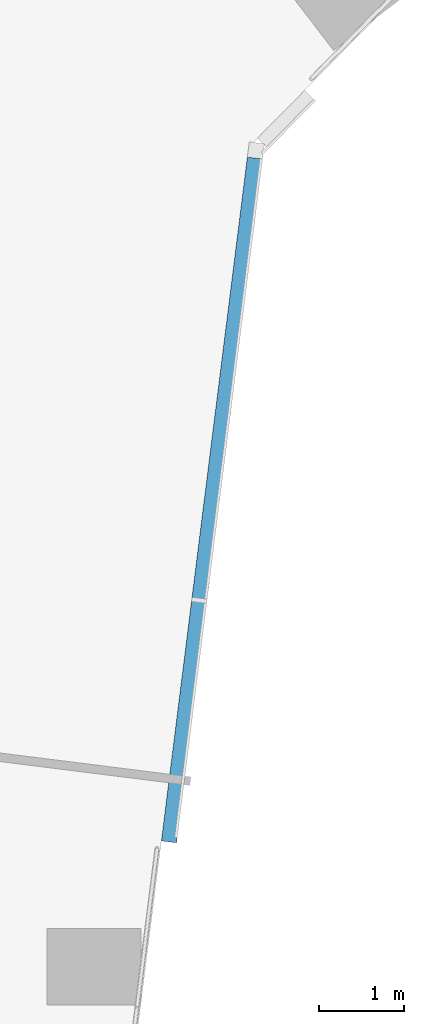
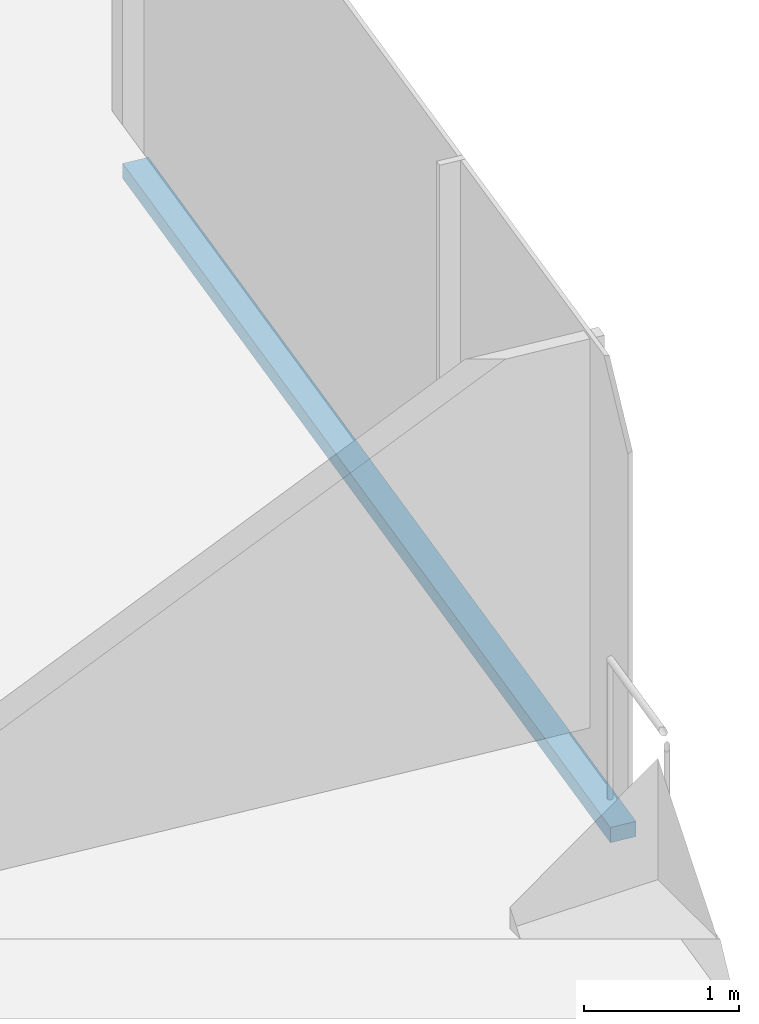
# One storey, part 5 of 29: 1 member, 1 element without a shape of its own.
"""IFC4 building model written with IfcOpenShell, lengths in metres."""

from ifc_helpers import new_model, si_unit, direction, frame, origin, origin_2d, place, context, subcontext, project, spatial, rectangle, extrude, material, material_profile, profile_set, type_object, element, aggregate, save


model = new_model("IFC4")

# Units and contexts
model_context = context("Model", 3, precision=1e-05, world=origin(), true_north=direction((0.0, 1.0)))
body_context = subcontext(model_context, "Body", "Model", "MODEL_VIEW")
ifc_project = project(units=[si_unit("LENGTHUNIT", "METRE"), si_unit("AREAUNIT", "SQUARE_METRE"), si_unit("VOLUMEUNIT", "CUBIC_METRE"), si_unit("PLANEANGLEUNIT", "RADIAN"), si_unit("MASSUNIT", "GRAM", prefix="KILO")], contexts=[model_context])

# Site, building, storey
site_placement = place(None, origin())
site = spatial("IfcSite", under=ifc_project, at=site_placement, CompositionType="ELEMENT")
building_placement = place(site_placement, origin())
building = spatial("IfcBuilding", under=site, at=building_placement, Name="Orlundy Tower", CompositionType="ELEMENT")
storey_placement = place(building_placement, frame((0.0, 0.0, 188.60009765625)))
storey = spatial("IfcBuildingStorey", under=building, at=storey_placement, Name="L49", CompositionType="ELEMENT", Elevation=188.60009765625)

# Curtain wall, member
ifc_material_1 = material(Name="Aluminium bronze anodised", Category="aluminium")
curtain_wall_type = type_object("IfcCurtainWallType", Name="CW1 wall", PredefinedType="NOTDEFINED", material=ifc_material_1)
curtain_wall_placement = place(storey_placement, origin())
curtain_wall = element("IfcCurtainWall", 1, at=curtain_wall_placement, inside=storey, type_object=curtain_wall_type, Name="CW1 run 018", PredefinedType="NOTDEFINED")
ifc_material_2 = material(Name="Aluminium bronze anodised", Category="aluminium")
ifc_material_profile = material_profile(ifc_material_2, rectangle(XDim=0.179931640625, YDim=0.1201171875, at=origin_2d()), Name="CW1 transom 180x120")
ifc_profile_set = profile_set([ifc_material_profile], Name="Aluminium bronze anodised")
member_type = type_object("IfcMemberType", Name="CW1 transom 180x120", PredefinedType="USERDEFINED", material=ifc_profile_set)
member_placement = place(storey_placement, frame((17.021240234375, -25.660888671875, -0.360107421875), z_axis=(-0.124728775995, -0.992190875003, 0.0), x_axis=(0.992190875003, -0.124728775995, 0.0)))
member = element("IfcMember", 2, at=member_placement, type_object=member_type, Name="CW1 transom", ObjectType="TRANSOM", PredefinedType="USERDEFINED", context=body_context, shape_type="SweptSolid", body=[
    extrude(rectangle(XDim=0.179931640625, YDim=0.1201171875, at=origin_2d()), origin(), (0.0, 0.0, 1.0), 8.095703125),
])
aggregate(curtain_wall, [member])

save(model, "model.ifc")
